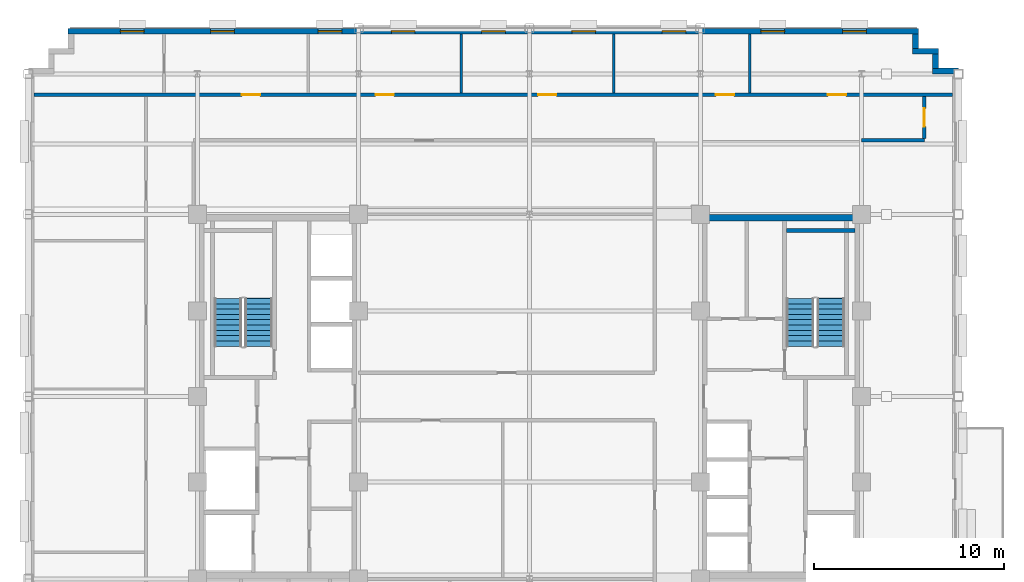
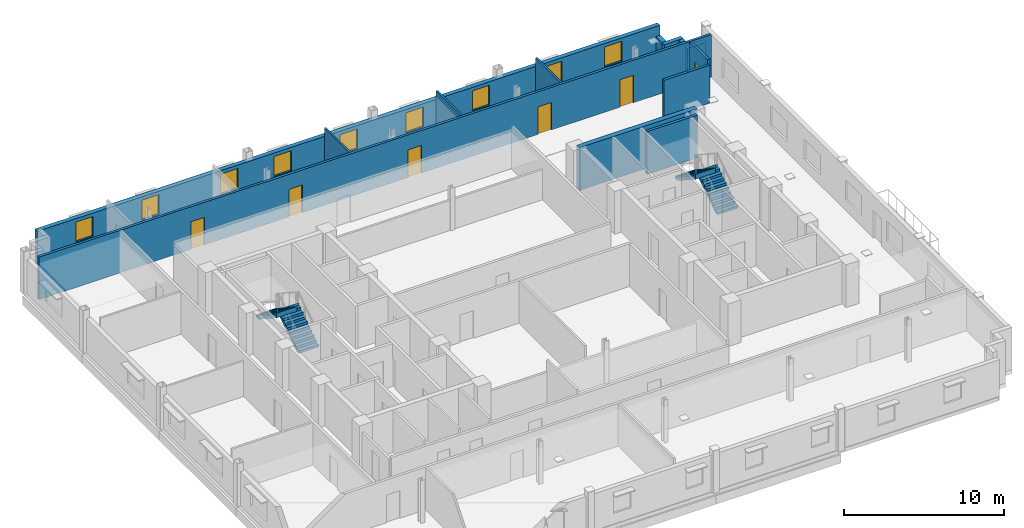
# One storey, part 10 of 15: 13 walls, 9 windows, 6 doors, 4 stair flights, 15 openings, 2 elements without a shape of their own.
"""IFC4 building model written with IfcOpenShell, lengths in metres."""

from ifc_helpers import new_model, si_unit, direction, frame, frame_2d, origin, place, context, subcontext, project, spatial, polyline, rectangle, outline, extrude, source, transform, mapped, material, layer, layer_set, type_object, type_shapes, element, fill, aggregate, save


model = new_model("IFC4")

# Units and contexts
model_context = context("Model", 3, precision=1e-05, world=origin(), true_north=direction((0.0, 1.0)))
body_context = subcontext(model_context, "Body", "Model", "MODEL_VIEW")
ifc_project = project(units=[si_unit("LENGTHUNIT", "METRE"), si_unit("AREAUNIT", "SQUARE_METRE"), si_unit("VOLUMEUNIT", "CUBIC_METRE"), si_unit("PLANEANGLEUNIT", "RADIAN"), si_unit("MASSUNIT", "GRAM", prefix="KILO")], contexts=[model_context])

# Site, building, storey
site_placement = place(None, origin())
site = spatial("IfcSite", under=ifc_project, at=site_placement, CompositionType="ELEMENT")
building_placement = place(site_placement, origin())
building = spatial("IfcBuilding", under=site, at=building_placement, Name="Nuvemarco Arch Tower", CompositionType="ELEMENT")
storey_placement = place(building_placement, frame((0.0, 0.0, 205.5)))
storey = spatial("IfcBuildingStorey", under=building, at=storey_placement, Name="L54", CompositionType="ELEMENT", Elevation=205.5)

# Walls
ifc_material_1 = material(Name="Precast concrete C45/55", Category="concrete")
ifc_layer_1 = layer(ifc_material_1, 0.31005859375, Name="EW-UPP-310")
ifc_layer_set_1 = layer_set([ifc_layer_1], Name="Precast concrete C45/55")
wall_type_1 = type_object("IfcWallType", Name="EW-UPP-310", PredefinedType="STANDARD", material=ifc_layer_set_1)
wall_1_placement = place(storey_placement, frame((21.239990234375, 17.14501953125, 0.0), z_axis=(0.0, 0.0, 1.0), x_axis=(1.0, 0.0, 0.0)))
element("IfcWall", 1, at=wall_1_placement, inside=storey, type_object=wall_type_1, Name="L54 exterior precast facade wall 7", PredefinedType="STANDARD", context=body_context, shape_type="SweptSolid", body=[
    extrude(rectangle(XDim=1.360107421875, YDim=0.31005859375, at=frame_2d((0.68017578125, 0.0))), origin(), (0.0, 0.0, 1.0), 1.8349609375),
])
wall_2_placement = place(storey_placement, frame((21.39501953125, 17.2958984375, 0.0), z_axis=(0.0, 0.0, 1.0), x_axis=(0.0, 1.0, 0.0)))
element("IfcWall", 2, at=wall_2_placement, inside=storey, type_object=wall_type_1, Name="L54 exterior precast facade wall 8", PredefinedType="STANDARD", context=body_context, shape_type="SweptSolid", body=[
    extrude(rectangle(XDim=0.748046875, YDim=0.31005859375, at=frame_2d((0.3740234375, 0.0))), origin(), (0.0, 0.0, 1.0), 1.8349609375),
])
wall_3_placement = place(storey_placement, frame((20.18994140625, 18.195068359375, 0.0), z_axis=(0.0, 0.0, 1.0), x_axis=(1.0, 0.0, 0.0)))
element("IfcWall", 3, at=wall_3_placement, inside=storey, type_object=wall_type_1, Name="L54 exterior precast facade wall 9", PredefinedType="STANDARD", context=body_context, shape_type="SweptSolid", body=[
    extrude(rectangle(XDim=1.360107421875, YDim=0.31005859375, at=frame_2d((0.68017578125, 0.0))), origin(), (0.0, 0.0, 1.0), 1.8349609375),
])
wall_4_placement = place(storey_placement, frame((20.344970703125, 18.345947265625, 0.0), z_axis=(0.0, 0.0, 1.0), x_axis=(0.0, 1.0, 0.0)))
element("IfcWall", 4, at=wall_4_placement, inside=storey, type_object=wall_type_1, Name="L54 exterior precast facade wall 10", PredefinedType="STANDARD", context=body_context, shape_type="SweptSolid", body=[
    extrude(rectangle(XDim=0.748046875, YDim=0.31005859375, at=frame_2d((0.3740234375, 0.0))), origin(), (0.0, 0.0, 1.0), 1.8349609375),
])

# Wall, openings, windows
wall_5_placement = place(storey_placement, frame((-24.300048828125, 19.2451171875, 0.0), z_axis=(0.0, 0.0, 1.0), x_axis=(1.0, 0.0, 0.0)))
wall_5 = element("IfcWall", 5, at=wall_5_placement, inside=storey, type_object=wall_type_1, Name="L54 exterior precast facade wall 11", PredefinedType="STANDARD", context=body_context, shape_type="SweptSolid", body=[
    extrude(rectangle(XDim=44.800048828125, YDim=0.31005859375, at=frame_2d((22.39990234375, 0.0))), origin(), (0.0, 0.0, 1.0), 2.5849609375),
])
opening_1_placement = place(wall_5_placement, frame((2.752685546875, 0.0, 0.800048828125)))
opening_1 = element("IfcOpeningElement", 6, at=opening_1_placement, cuts=wall_5, Name="Opening WN-13", PredefinedType="OPENING", context=body_context, shape_type="SweptSolid", body=[
    extrude(rectangle(XDim=1.25, YDim=1.52001953125, at=frame_2d((0.625, 0.760009765625))), frame((0.0, 0.1650390625, 0.0), z_axis=(0.0, -1.0, 0.0), x_axis=(1.0, 0.0, 0.0)), (0.0, 0.0, 1.0), 0.330078125),
])
opening_2_placement = place(wall_5_placement, frame((7.50830078125, 0.0, 0.800048828125)))
opening_2 = element("IfcOpeningElement", 7, at=opening_2_placement, cuts=wall_5, Name="Opening WN-13", PredefinedType="OPENING", context=body_context, shape_type="SweptSolid", body=[
    extrude(rectangle(XDim=1.25, YDim=1.52001953125, at=frame_2d((0.625, 0.760009765625))), frame((0.0, 0.1650390625, 0.0), z_axis=(0.0, -1.0, 0.0), x_axis=(1.0, 0.0, 0.0)), (0.0, 0.0, 1.0), 0.330078125),
])
opening_3_placement = place(wall_5_placement, frame((13.163818359375, 0.0, 0.800048828125)))
opening_3 = element("IfcOpeningElement", 8, at=opening_3_placement, cuts=wall_5, Name="Opening WN-13", PredefinedType="OPENING", context=body_context, shape_type="SweptSolid", body=[
    extrude(rectangle(XDim=1.25, YDim=1.52001953125, at=frame_2d((0.625, 0.760009765625))), frame((0.0, 0.1650390625, 0.0), z_axis=(0.0, -1.0, 0.0), x_axis=(1.0, 0.0, 0.0)), (0.0, 0.0, 1.0), 0.330078125),
])
opening_4_placement = place(wall_5_placement, frame((17.019287109375, 0.0, 0.800048828125)))
opening_4 = element("IfcOpeningElement", 9, at=opening_4_placement, cuts=wall_5, Name="Opening WN-13", PredefinedType="OPENING", context=body_context, shape_type="SweptSolid", body=[
    extrude(rectangle(XDim=1.25, YDim=1.52001953125, at=frame_2d((0.625, 0.760009765625))), frame((0.0, 0.1650390625, 0.0), z_axis=(0.0, -1.0, 0.0), x_axis=(1.0, 0.0, 0.0)), (0.0, 0.0, 1.0), 0.330078125),
])
opening_5_placement = place(wall_5_placement, frame((21.77490234375, 0.0, 0.800048828125)))
opening_5 = element("IfcOpeningElement", 10, at=opening_5_placement, cuts=wall_5, Name="Opening WN-13", PredefinedType="OPENING", context=body_context, shape_type="SweptSolid", body=[
    extrude(rectangle(XDim=1.25, YDim=1.52001953125, at=frame_2d((0.625, 0.760009765625))), frame((0.0, 0.1650390625, 0.0), z_axis=(0.0, -1.0, 0.0), x_axis=(1.0, 0.0, 0.0)), (0.0, 0.0, 1.0), 0.330078125),
])
opening_6_placement = place(wall_5_placement, frame((26.530517578125, 0.0, 0.800048828125)))
opening_6 = element("IfcOpeningElement", 11, at=opening_6_placement, cuts=wall_5, Name="Opening WN-13", PredefinedType="OPENING", context=body_context, shape_type="SweptSolid", body=[
    extrude(rectangle(XDim=1.25, YDim=1.52001953125, at=frame_2d((0.625, 0.760009765625))), frame((0.0, 0.1650390625, 0.0), z_axis=(0.0, -1.0, 0.0), x_axis=(1.0, 0.0, 0.0)), (0.0, 0.0, 1.0), 0.330078125),
])
opening_7_placement = place(wall_5_placement, frame((31.2861328125, 0.0, 0.800048828125)))
opening_7 = element("IfcOpeningElement", 12, at=opening_7_placement, cuts=wall_5, Name="Opening WN-13", PredefinedType="OPENING", context=body_context, shape_type="SweptSolid", body=[
    extrude(rectangle(XDim=1.25, YDim=1.52001953125, at=frame_2d((0.625, 0.760009765625))), frame((0.0, 0.1650390625, 0.0), z_axis=(0.0, -1.0, 0.0), x_axis=(1.0, 0.0, 0.0)), (0.0, 0.0, 1.0), 0.330078125),
])
opening_8_placement = place(wall_5_placement, frame((36.49169921875, 0.0, 0.800048828125)))
opening_8 = element("IfcOpeningElement", 13, at=opening_8_placement, cuts=wall_5, Name="Opening WN-13", PredefinedType="OPENING", context=body_context, shape_type="SweptSolid", body=[
    extrude(rectangle(XDim=1.25, YDim=1.52001953125, at=frame_2d((0.625, 0.760009765625))), frame((0.0, 0.1650390625, 0.0), z_axis=(0.0, -1.0, 0.0), x_axis=(1.0, 0.0, 0.0)), (0.0, 0.0, 1.0), 0.330078125),
])
opening_9_placement = place(wall_5_placement, frame((40.797119140625, 0.0, 0.800048828125)))
opening_9 = element("IfcOpeningElement", 14, at=opening_9_placement, cuts=wall_5, Name="Opening WN-13", PredefinedType="OPENING", context=body_context, shape_type="SweptSolid", body=[
    extrude(rectangle(XDim=1.25, YDim=1.52001953125, at=frame_2d((0.625, 0.760009765625))), frame((0.0, 0.1650390625, 0.0), z_axis=(0.0, -1.0, 0.0), x_axis=(1.0, 0.0, 0.0)), (0.0, 0.0, 1.0), 0.330078125),
])
ifc_material_2 = material(Name="Insulated solar-control glass", Category="glass")
window_type = type_object("IfcWindowType", Name="WN-SET-1250x1520", PartitioningType="SINGLE_PANEL", PredefinedType="WINDOW", material=ifc_material_2)
shared_shape_1 = source(origin(), body_context, "Body", "SweptSolid", [
    extrude(rectangle(XDim=1.25, YDim=1.52001953125, at=frame_2d((0.625, 0.760009765625))), frame((0.0, 0.030029296875, 0.0), z_axis=(0.0, -1.0, 0.0), x_axis=(1.0, 0.0, 0.0)), (0.0, 0.0, 1.0), 0.06005859375),
])
type_shapes(window_type, [shared_shape_1])
window_1_placement = place(opening_1_placement, origin())
window_1 = element("IfcWindow", 15, at=window_1_placement, inside=storey, type_object=window_type, Name="L54 punched facade window 1", OverallHeight=1.52001953125, OverallWidth=1.25, PartitioningType="SINGLE_PANEL", PredefinedType="WINDOW", context=body_context, shape_type="MappedRepresentation", body=[
    mapped(shared_shape_1, transform((0.0, 0.0, 0.0), scale=1.0)),
])
fill(opening_1, window_1)
window_2_placement = place(opening_2_placement, origin())
window_2 = element("IfcWindow", 16, at=window_2_placement, inside=storey, type_object=window_type, Name="L54 punched facade window 2", OverallHeight=1.52001953125, OverallWidth=1.25, PartitioningType="SINGLE_PANEL", PredefinedType="WINDOW", context=body_context, shape_type="MappedRepresentation", body=[
    mapped(shared_shape_1, transform((0.0, 0.0, 0.0), scale=1.0)),
])
fill(opening_2, window_2)
window_3_placement = place(opening_3_placement, origin())
window_3 = element("IfcWindow", 17, at=window_3_placement, inside=storey, type_object=window_type, Name="L54 punched facade window 3", OverallHeight=1.52001953125, OverallWidth=1.25, PartitioningType="SINGLE_PANEL", PredefinedType="WINDOW", context=body_context, shape_type="MappedRepresentation", body=[
    mapped(shared_shape_1, transform((0.0, 0.0, 0.0), scale=1.0)),
])
fill(opening_3, window_3)
window_4_placement = place(opening_4_placement, origin())
window_4 = element("IfcWindow", 18, at=window_4_placement, inside=storey, type_object=window_type, Name="L54 punched facade window 4", OverallHeight=1.52001953125, OverallWidth=1.25, PartitioningType="SINGLE_PANEL", PredefinedType="WINDOW", context=body_context, shape_type="MappedRepresentation", body=[
    mapped(shared_shape_1, transform((0.0, 0.0, 0.0), scale=1.0)),
])
fill(opening_4, window_4)
window_5_placement = place(opening_5_placement, origin())
window_5 = element("IfcWindow", 19, at=window_5_placement, inside=storey, type_object=window_type, Name="L54 punched facade window 5", OverallHeight=1.52001953125, OverallWidth=1.25, PartitioningType="SINGLE_PANEL", PredefinedType="WINDOW", context=body_context, shape_type="MappedRepresentation", body=[
    mapped(shared_shape_1, transform((0.0, 0.0, 0.0), scale=1.0)),
])
fill(opening_5, window_5)
window_6_placement = place(opening_6_placement, origin())
window_6 = element("IfcWindow", 20, at=window_6_placement, inside=storey, type_object=window_type, Name="L54 punched facade window 6", OverallHeight=1.52001953125, OverallWidth=1.25, PartitioningType="SINGLE_PANEL", PredefinedType="WINDOW", context=body_context, shape_type="MappedRepresentation", body=[
    mapped(shared_shape_1, transform((0.0, 0.0, 0.0), scale=1.0)),
])
fill(opening_6, window_6)
window_7_placement = place(opening_7_placement, origin())
window_7 = element("IfcWindow", 21, at=window_7_placement, inside=storey, type_object=window_type, Name="L54 punched facade window 7", OverallHeight=1.52001953125, OverallWidth=1.25, PartitioningType="SINGLE_PANEL", PredefinedType="WINDOW", context=body_context, shape_type="MappedRepresentation", body=[
    mapped(shared_shape_1, transform((0.0, 0.0, 0.0), scale=1.0)),
])
fill(opening_7, window_7)
window_8_placement = place(opening_8_placement, origin())
window_8 = element("IfcWindow", 22, at=window_8_placement, inside=storey, type_object=window_type, Name="L54 punched facade window 8", OverallHeight=1.52001953125, OverallWidth=1.25, PartitioningType="SINGLE_PANEL", PredefinedType="WINDOW", context=body_context, shape_type="MappedRepresentation", body=[
    mapped(shared_shape_1, transform((0.0, 0.0, 0.0), scale=1.0)),
])
fill(opening_8, window_8)
window_9_placement = place(opening_9_placement, origin())
window_9 = element("IfcWindow", 23, at=window_9_placement, inside=storey, type_object=window_type, Name="L54 punched facade window 9", OverallHeight=1.52001953125, OverallWidth=1.25, PartitioningType="SINGLE_PANEL", PredefinedType="WINDOW", context=body_context, shape_type="MappedRepresentation", body=[
    mapped(shared_shape_1, transform((0.0, 0.0, 0.0), scale=1.0)),
])
fill(opening_9, window_9)

# Walls
ifc_material_3 = material(Name="Concrete C50/60", Category="concrete")
ifc_layer_2 = layer(ifc_material_3, 0.35009765625, Name="WL-CORE-350")
ifc_layer_set_2 = layer_set([ifc_layer_2], Name="Concrete C50/60")
wall_type_2 = type_object("IfcWallType", Name="WL-CORE-350", PredefinedType="SHEAR", material=ifc_layer_set_2)
wall_6_placement = place(storey_placement, frame((9.0, 9.425048828125, 0.0), z_axis=(0.0, 0.0, 1.0), x_axis=(1.0, 0.0, 0.0)))
element("IfcWall", 24, at=wall_6_placement, inside=storey, type_object=wall_type_2, Name="L54 E-core shear wall N", PredefinedType="SHEAR", context=body_context, shape_type="SweptSolid", body=[
    extrude(rectangle(XDim=8.5, YDim=0.35009765625, at=frame_2d((4.25, 0.0))), origin(), (0.0, 0.0, 1.0), 3.25),
])
ifc_material_4 = material(Name="Fire-rated gypsum drywall partition")
ifc_layer_3 = layer(ifc_material_4, 0.179931640625, Name="WL-CORR-180")
ifc_layer_set_3 = layer_set([ifc_layer_3], Name="Fire-rated gypsum drywall partition")
wall_type_3 = type_object("IfcWallType", Name="WL-CORR-180", PredefinedType="PARTITIONING", material=ifc_layer_set_3)
wall_7_placement = place(storey_placement, frame((17.5, 13.5, 0.0), z_axis=(0.0, 0.0, 1.0), x_axis=(1.0, 0.0, 0.0)))
element("IfcWall", 25, at=wall_7_placement, inside=storey, type_object=wall_type_3, Name="L54 interior wall IW-L54-014", PredefinedType="PARTITIONING", context=body_context, shape_type="SweptSolid", body=[
    extrude(rectangle(XDim=3.300048828125, YDim=0.179931640625, at=frame_2d((1.64990234375, 0.0))), origin(), (0.0, 0.0, 1.0), 2.887939453125),
])

# Wall, openings, doors
wall_8_placement = place(storey_placement, frame((-26.090087890625, 15.89990234375, 0.0), z_axis=(0.0, 0.0, 1.0), x_axis=(1.0, 0.0, 0.0)))
wall_8 = element("IfcWall", 26, at=wall_8_placement, inside=storey, type_object=wall_type_3, Name="L54 interior wall IW-L54-015", PredefinedType="PARTITIONING", context=body_context, shape_type="SweptSolid", body=[
    extrude(rectangle(XDim=48.380126953125, YDim=0.179931640625, at=frame_2d((24.18994140625, 0.0))), origin(), (0.0, 0.0, 1.0), 3.239990234375),
])
opening_10_placement = place(wall_8_placement, frame((41.81005859375, 0.0, 0.0)))
opening_10 = element("IfcOpeningElement", 27, at=opening_10_placement, cuts=wall_8, Name="Opening FD-5", PredefinedType="OPENING", context=body_context, shape_type="SweptSolid", body=[
    extrude(rectangle(XDim=0.9599609375, YDim=2.10009765625, at=frame_2d((0.47998046875, 1.050048828125))), frame((0.0, 0.099853515625, 0.0), z_axis=(0.0, -1.0, 0.0), x_axis=(1.0, 0.0, 0.0)), (0.0, 0.0, 1.0), 0.199951171875),
])
opening_11_placement = place(wall_8_placement, frame((17.985107421875, 0.0, 0.0)))
opening_11 = element("IfcOpeningElement", 28, at=opening_11_placement, cuts=wall_8, Name="Opening FD-5", PredefinedType="OPENING", context=body_context, shape_type="SweptSolid", body=[
    extrude(rectangle(XDim=0.9599609375, YDim=2.10009765625, at=frame_2d((0.47998046875, 1.050048828125))), frame((0.0, 0.099853515625, 0.0), z_axis=(0.0, -1.0, 0.0), x_axis=(1.0, 0.0, 0.0)), (0.0, 0.0, 1.0), 0.199951171875),
])
opening_12_placement = place(wall_8_placement, frame((26.550048828125, 0.0, 0.0)))
opening_12 = element("IfcOpeningElement", 29, at=opening_12_placement, cuts=wall_8, Name="Opening FD-5", PredefinedType="OPENING", context=body_context, shape_type="SweptSolid", body=[
    extrude(rectangle(XDim=0.9599609375, YDim=2.10009765625, at=frame_2d((0.47998046875, 1.050048828125))), frame((0.0, 0.099853515625, 0.0), z_axis=(0.0, -1.0, 0.0), x_axis=(1.0, 0.0, 0.0)), (0.0, 0.0, 1.0), 0.199951171875),
])
opening_13_placement = place(wall_8_placement, frame((10.93505859375, 0.0, 0.0)))
opening_13 = element("IfcOpeningElement", 30, at=opening_13_placement, cuts=wall_8, Name="Opening FD-5", PredefinedType="OPENING", context=body_context, shape_type="SweptSolid", body=[
    extrude(rectangle(XDim=0.9599609375, YDim=2.10009765625, at=frame_2d((0.47998046875, 1.050048828125))), frame((0.0, 0.099853515625, 0.0), z_axis=(0.0, -1.0, 0.0), x_axis=(1.0, 0.0, 0.0)), (0.0, 0.0, 1.0), 0.199951171875),
])
opening_14_placement = place(wall_8_placement, frame((35.909912109375, 0.0, 0.0)))
opening_14 = element("IfcOpeningElement", 31, at=opening_14_placement, cuts=wall_8, Name="Opening FD-5", PredefinedType="OPENING", context=body_context, shape_type="SweptSolid", body=[
    extrude(rectangle(XDim=0.9599609375, YDim=2.10009765625, at=frame_2d((0.47998046875, 1.050048828125))), frame((0.0, 0.099853515625, 0.0), z_axis=(0.0, -1.0, 0.0), x_axis=(1.0, 0.0, 0.0)), (0.0, 0.0, 1.0), 0.199951171875),
])
ifc_material_5 = material(Name="Timber fire door", Category="wood")
door_type = type_object("IfcDoorType", Name="DR-CORR-FD", OperationType="NOTDEFINED", PredefinedType="DOOR", material=ifc_material_5)
shared_shape_2 = source(origin(), body_context, "Body", "SweptSolid", [
    extrude(rectangle(XDim=0.9599609375, YDim=2.10009765625, at=frame_2d((0.47998046875, 1.050048828125))), frame((0.0, 0.02490234375, 0.0), z_axis=(0.0, -1.0, 0.0), x_axis=(1.0, 0.0, 0.0)), (0.0, 0.0, 1.0), 0.050048828125),
])
type_shapes(door_type, [shared_shape_2])
door_1_placement = place(opening_10_placement, origin())
door_1 = element("IfcDoor", 32, at=door_1_placement, inside=storey, type_object=door_type, Name="L54 door DR-L54-N_6", OperationType="SINGLE_SWING_LEFT", OverallHeight=2.10009765625, OverallWidth=0.9599609375, PredefinedType="DOOR", context=body_context, shape_type="MappedRepresentation", body=[
    mapped(shared_shape_2, transform((0.0, 0.0, 0.0), scale=1.0)),
])
fill(opening_10, door_1)
door_2_placement = place(opening_11_placement, origin())
door_2 = element("IfcDoor", 33, at=door_2_placement, inside=storey, type_object=door_type, Name="L54 door DR-L54-N_3", OperationType="SINGLE_SWING_RIGHT", OverallHeight=2.10009765625, OverallWidth=0.9599609375, PredefinedType="DOOR", context=body_context, shape_type="MappedRepresentation", body=[
    mapped(shared_shape_2, transform((0.0, 0.0, 0.0), scale=1.0)),
])
fill(opening_11, door_2)
door_3_placement = place(opening_12_placement, origin())
door_3 = element("IfcDoor", 34, at=door_3_placement, inside=storey, type_object=door_type, Name="L54 door DR-L54-N_4", OperationType="SINGLE_SWING_LEFT", OverallHeight=2.10009765625, OverallWidth=0.9599609375, PredefinedType="DOOR", context=body_context, shape_type="MappedRepresentation", body=[
    mapped(shared_shape_2, transform((0.0, 0.0, 0.0), scale=1.0)),
])
fill(opening_12, door_3)
door_4_placement = place(opening_13_placement, origin())
door_4 = element("IfcDoor", 35, at=door_4_placement, inside=storey, type_object=door_type, Name="L54 door DR-L54-N_2", OperationType="SINGLE_SWING_LEFT", OverallHeight=2.10009765625, OverallWidth=0.9599609375, PredefinedType="DOOR", context=body_context, shape_type="MappedRepresentation", body=[
    mapped(shared_shape_2, transform((0.0, 0.0, 0.0), scale=1.0)),
])
fill(opening_13, door_4)
door_5_placement = place(opening_14_placement, origin())
door_5 = element("IfcDoor", 36, at=door_5_placement, inside=storey, type_object=door_type, Name="L54 door DR-L54-N_5", OperationType="SINGLE_SWING_LEFT", OverallHeight=2.10009765625, OverallWidth=0.9599609375, PredefinedType="DOOR", context=body_context, shape_type="MappedRepresentation", body=[
    mapped(shared_shape_2, transform((0.0, 0.0, 0.0), scale=1.0)),
])
fill(opening_14, door_5)

# Wall, opening, door
wall_9_placement = place(storey_placement, frame((20.800048828125, 13.5859375, 0.0), z_axis=(0.0, 0.0, 1.0), x_axis=(0.0, 1.0, 0.0)))
wall_9 = element("IfcWall", 37, at=wall_9_placement, inside=storey, type_object=wall_type_3, Name="L54 interior wall IW-L54-034", PredefinedType="PARTITIONING", context=body_context, shape_type="SweptSolid", body=[
    extrude(rectangle(XDim=2.22802734375, YDim=0.179931640625, at=frame_2d((1.114013671875, 0.0))), origin(), (0.0, 0.0, 1.0), 3.239990234375),
])
opening_15_placement = place(wall_9_placement, frame((0.634033203125, 0.0, 0.0)))
opening_15 = element("IfcOpeningElement", 38, at=opening_15_placement, cuts=wall_9, Name="Opening FD-5", PredefinedType="OPENING", context=body_context, shape_type="SweptSolid", body=[
    extrude(rectangle(XDim=0.9599609375, YDim=2.10009765625, at=frame_2d((0.47998046875, 1.050048828125))), frame((0.0, 0.099853515625, 0.0), z_axis=(0.0, -1.0, 0.0), x_axis=(1.0, 0.0, 0.0)), (0.0, 0.0, 1.0), 0.199951171875),
])
door_6_placement = place(opening_15_placement, origin())
door_6 = element("IfcDoor", 39, at=door_6_placement, inside=storey, type_object=door_type, Name="L54 door DR-L54-E_1", OperationType="SINGLE_SWING_RIGHT", OverallHeight=2.10009765625, OverallWidth=0.9599609375, PredefinedType="DOOR", context=body_context, shape_type="MappedRepresentation", body=[
    mapped(shared_shape_2, transform((0.0, 0.0, 0.0), scale=1.0)),
])
fill(opening_15, door_6)

# Walls
ifc_material_6 = material(Name="Glazed acoustic office partition")
ifc_layer_4 = layer(ifc_material_6, 0.1298828125, Name="WL-EXEC-130")
ifc_layer_set_4 = layer_set([ifc_layer_4], Name="Glazed acoustic office partition")
wall_type_4 = type_object("IfcWallType", Name="WL-EXEC-130", PredefinedType="PARTITIONING", material=ifc_layer_set_4)
for number, where, z_axis, x_axis, name in (
    (40, (-3.60009765625, 15.986083984375, 0.0), (0.0, 0.0, 1.0), (0.0, 1.0, 0.0), "L54 interior wall IW-L54-026"),
    (41, (4.43994140625, 15.986083984375, 0.0), (0.0, 0.0, 1.0), (0.0, 1.0, 0.0), "L54 interior wall IW-L54-029"),
    (42, (11.60009765625, 15.986083984375, 0.0), (0.0, 0.0, 1.0), (0.0, 1.0, 0.0), "L54 interior wall IW-L54-032"),
):
    element("IfcWall", number, at=place(storey_placement, frame(where, z_axis=z_axis, x_axis=x_axis)), inside=storey, type_object=wall_type_4, Name=name, PredefinedType="PARTITIONING", context=body_context, shape_type="SweptSolid", body=[
        extrude(rectangle(XDim=3.10400390625, YDim=0.1298828125, at=frame_2d((1.552001953125, 0.0))), origin(), (0.0, 0.0, 1.0), 3.239990234375),
    ])
ifc_layer_5 = layer(ifc_material_3, 0.199951171875, Name="WL-SHAFT-220")
ifc_layer_set_5 = layer_set([ifc_layer_5], Name="Concrete C50/60")
wall_type_5 = type_object("IfcWallType", Name="WL-SHAFT-220", PredefinedType="SHEAR", material=ifc_layer_set_5)
wall_10_placement = place(storey_placement, frame((13.534912109375, 8.75, 0.0), z_axis=(0.0, 0.0, 1.0), x_axis=(1.0, 0.0, 0.0)))
element("IfcWall", 43, at=wall_10_placement, inside=storey, type_object=wall_type_5, Name="L54 structural shaft wall SW-L54-E-ST2N", PredefinedType="SHEAR", context=body_context, shape_type="SweptSolid", body=[
    extrude(rectangle(XDim=3.6201171875, YDim=0.199951171875, at=frame_2d((1.81005859375, 0.0))), origin(), (0.0, 0.0, 1.0), 3.25),
])

# Stair, stair flights
stair_type = type_object("IfcStairType", Name="ST-CORE-20R", PredefinedType="HALF_TURN_STAIR", material=ifc_material_1)
stair_1_placement = place(storey_placement, origin())
stair_1 = element("IfcStair", 44, at=stair_1_placement, inside=storey, type_object=stair_type, Name="L54 Protected Exit Stair ST-1", PredefinedType="HALF_TURN_STAIR")
stair_flight_type = type_object("IfcStairFlightType", Name="SF-CORE-20R", PredefinedType="STRAIGHT", material=ifc_material_1)
stair_flight_1_placement = place(storey_placement, frame((-14.264892578125, 2.64990234375, 0.0), z_axis=(0.0, 0.0, 1.0), x_axis=(0.0, 1.0, 0.0)))
stair_flight_1 = element("IfcStairFlight", 45, at=stair_flight_1_placement, type_object=stair_flight_type, Name="ST-20R flight 1", NumberOfRisers=10, NumberOfTreads=9, PredefinedType="STRAIGHT", RiserHeight=0.1825, TreadLength=0.28, context=body_context, shape_type="SweptSolid", body=[
    extrude(outline(polyline([(0.0, 0.0), (0.0, 0.1826171875), (0.280029296875, 0.1826171875), (0.280029296875, 0.364990234375), (0.56005859375, 0.364990234375), (0.56005859375, 0.547607421875), (0.840087890625, 0.547607421875), (0.840087890625, 0.72998046875), (1.1201171875, 0.72998046875), (1.1201171875, 0.91259765625), (1.39990234375, 0.91259765625), (1.39990234375, 1.094970703125), (1.679931640625, 1.094970703125), (1.679931640625, 1.277587890625), (1.9599609375, 1.277587890625), (1.9599609375, 1.4599609375), (2.239990234375, 1.4599609375), (2.239990234375, 1.642578125), (2.52001953125, 1.642578125), (2.52001953125, 1.824951171875), (2.5400390625, 1.824951171875), (2.5400390625, 1.45166015625), (0.312744140625, 0.0), (0.0, 0.0)])), frame((0.0, 0.72509765625, 0.0), z_axis=(0.0, -1.0, 0.0), x_axis=(1.0, 0.0, 0.0)), (0.0, 0.0, 1.0), 1.449951171875),
])
stair_flight_2_placement = place(storey_placement, frame((-15.875, 5.169921875, 1.824951171875), z_axis=(0.0, 0.0, 1.0), x_axis=(0.0, -1.0, 0.0)))
stair_flight_2 = element("IfcStairFlight", 46, at=stair_flight_2_placement, type_object=stair_flight_type, Name="ST-20R flight 2", NumberOfRisers=10, NumberOfTreads=9, PredefinedType="STRAIGHT", RiserHeight=0.1825, TreadLength=0.28, context=body_context, shape_type="SweptSolid", body=[
    extrude(outline(polyline([(0.0, 0.0), (0.0, 0.1826171875), (0.280029296875, 0.1826171875), (0.280029296875, 0.364990234375), (0.56005859375, 0.364990234375), (0.56005859375, 0.547607421875), (0.840087890625, 0.547607421875), (0.840087890625, 0.72998046875), (1.1201171875, 0.72998046875), (1.1201171875, 0.91259765625), (1.39990234375, 0.91259765625), (1.39990234375, 1.094970703125), (1.679931640625, 1.094970703125), (1.679931640625, 1.277587890625), (1.9599609375, 1.277587890625), (1.9599609375, 1.4599609375), (2.239990234375, 1.4599609375), (2.239990234375, 1.642578125), (2.52001953125, 1.642578125), (2.52001953125, 1.824951171875), (2.5400390625, 1.824951171875), (2.5400390625, 1.45166015625), (0.312744140625, 0.0), (0.0, 0.0)])), frame((0.0, 0.72509765625, 0.0), z_axis=(0.0, -1.0, 0.0), x_axis=(1.0, 0.0, 0.0)), (0.0, 0.0, 1.0), 1.449951171875),
])
aggregate(stair_1, [stair_flight_1, stair_flight_2])

stair_2_placement = place(storey_placement, origin())
stair_2 = element("IfcStair", 47, at=stair_2_placement, inside=storey, type_object=stair_type, Name="L54 Protected Exit Stair ST-2", PredefinedType="HALF_TURN_STAIR")
stair_flight_3_placement = place(storey_placement, frame((15.875, 2.64990234375, 0.0), z_axis=(0.0, 0.0, 1.0), x_axis=(0.0, 1.0, 0.0)))
stair_flight_3 = element("IfcStairFlight", 48, at=stair_flight_3_placement, type_object=stair_flight_type, Name="ST-20R flight 1", NumberOfRisers=10, NumberOfTreads=9, PredefinedType="STRAIGHT", RiserHeight=0.1825, TreadLength=0.28, context=body_context, shape_type="SweptSolid", body=[
    extrude(outline(polyline([(0.0, 0.0), (0.0, 0.1826171875), (0.280029296875, 0.1826171875), (0.280029296875, 0.364990234375), (0.56005859375, 0.364990234375), (0.56005859375, 0.547607421875), (0.840087890625, 0.547607421875), (0.840087890625, 0.72998046875), (1.1201171875, 0.72998046875), (1.1201171875, 0.91259765625), (1.39990234375, 0.91259765625), (1.39990234375, 1.094970703125), (1.679931640625, 1.094970703125), (1.679931640625, 1.277587890625), (1.9599609375, 1.277587890625), (1.9599609375, 1.4599609375), (2.239990234375, 1.4599609375), (2.239990234375, 1.642578125), (2.52001953125, 1.642578125), (2.52001953125, 1.824951171875), (2.5400390625, 1.824951171875), (2.5400390625, 1.45166015625), (0.312744140625, 0.0), (0.0, 0.0)])), frame((0.0, 0.72509765625, 0.0), z_axis=(0.0, -1.0, 0.0), x_axis=(1.0, 0.0, 0.0)), (0.0, 0.0, 1.0), 1.449951171875),
])
stair_flight_4_placement = place(storey_placement, frame((14.264892578125, 5.169921875, 1.824951171875), z_axis=(0.0, 0.0, 1.0), x_axis=(0.0, -1.0, 0.0)))
stair_flight_4 = element("IfcStairFlight", 49, at=stair_flight_4_placement, type_object=stair_flight_type, Name="ST-20R flight 2", NumberOfRisers=10, NumberOfTreads=9, PredefinedType="STRAIGHT", RiserHeight=0.1825, TreadLength=0.28, context=body_context, shape_type="SweptSolid", body=[
    extrude(outline(polyline([(0.0, 0.0), (0.0, 0.1826171875), (0.280029296875, 0.1826171875), (0.280029296875, 0.364990234375), (0.56005859375, 0.364990234375), (0.56005859375, 0.547607421875), (0.840087890625, 0.547607421875), (0.840087890625, 0.72998046875), (1.1201171875, 0.72998046875), (1.1201171875, 0.91259765625), (1.39990234375, 0.91259765625), (1.39990234375, 1.094970703125), (1.679931640625, 1.094970703125), (1.679931640625, 1.277587890625), (1.9599609375, 1.277587890625), (1.9599609375, 1.4599609375), (2.239990234375, 1.4599609375), (2.239990234375, 1.642578125), (2.52001953125, 1.642578125), (2.52001953125, 1.824951171875), (2.5400390625, 1.824951171875), (2.5400390625, 1.45166015625), (0.312744140625, 0.0), (0.0, 0.0)])), frame((0.0, 0.72509765625, 0.0), z_axis=(0.0, -1.0, 0.0), x_axis=(1.0, 0.0, 0.0)), (0.0, 0.0, 1.0), 1.449951171875),
])
aggregate(stair_2, [stair_flight_3, stair_flight_4])

save(model, "model.ifc")
